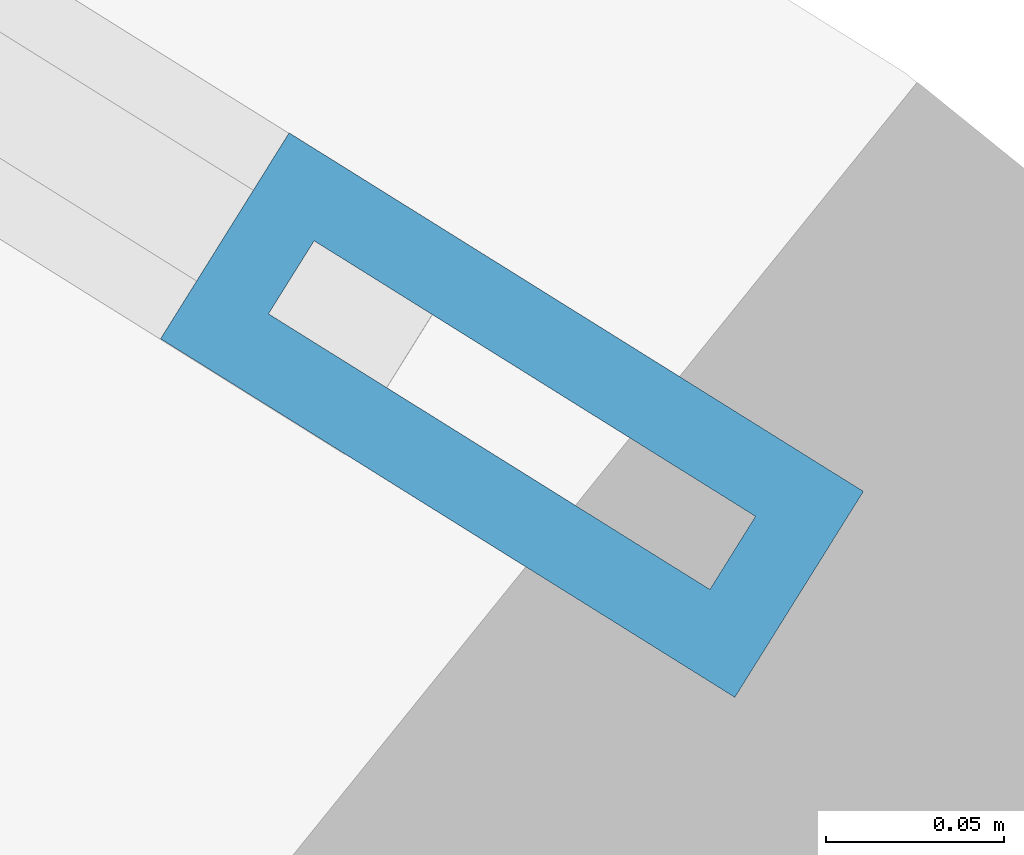
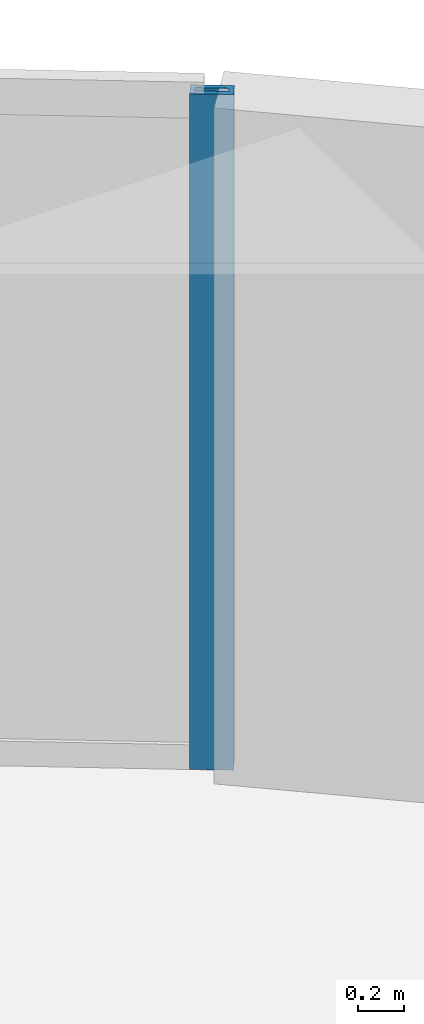
# One storey, part 9 of 17: 1 member, 1 element without a shape of its own.
"""IFC4 building model written with IfcOpenShell, lengths in metres."""

from ifc_helpers import new_model, si_unit, direction, frame, origin, origin_2d, place, context, subcontext, project, spatial, hollow_rectangle, extrude, source, transform, mapped, material, layer, layer_set, material_profile, profile_set, type_object, type_shapes, element, aggregate, save


model = new_model("IFC4")

# Units and contexts
model_context = context("Model", 3, precision=1e-05, world=origin(), true_north=direction((0.0, 1.0)))
body_context = subcontext(model_context, "Body", "Model", "MODEL_VIEW")
ifc_project = project(units=[si_unit("LENGTHUNIT", "METRE"), si_unit("AREAUNIT", "SQUARE_METRE"), si_unit("VOLUMEUNIT", "CUBIC_METRE"), si_unit("PLANEANGLEUNIT", "RADIAN"), si_unit("MASSUNIT", "GRAM", prefix="KILO")], contexts=[model_context])

# Site, building, storey
site_placement = place(None, origin())
site = spatial("IfcSite", under=ifc_project, at=site_placement, CompositionType="ELEMENT")
building_placement = place(site_placement, origin())
building = spatial("IfcBuilding", under=site, at=building_placement, Name="Tavelor Broadcast Tower", CompositionType="ELEMENT")
storey_placement = place(building_placement, frame((0.0, 0.0, 165.64990234375)))
storey = spatial("IfcBuildingStorey", under=building, at=storey_placement, Name="L39", CompositionType="ELEMENT", Elevation=165.64990234375)

# Curtain wall, member
ifc_material = material(Name="Architectural Anodized Aluminium", Category="aluminium")
ifc_layer = layer(ifc_material, 0.18994140625)
ifc_layer_set = layer_set([ifc_layer], Name="Architectural Anodized Aluminium")
curtain_wall_type = type_object("IfcCurtainWallType", Name="Tower Mid-Zone Acoustic Curtain Wall CW03", PredefinedType="NOTDEFINED", material=ifc_layer_set)
curtain_wall_placement = place(storey_placement, origin())
curtain_wall = element("IfcCurtainWall", 1, at=curtain_wall_placement, inside=storey, type_object=curtain_wall_type, Name="L39 Curtain Wall CW03 Run 417", PredefinedType="NOTDEFINED")
ifc_material_profile = material_profile(ifc_material, hollow_rectangle(XDim=0.068115234375, YDim=0.18994140625, WallThickness=0.02197265625, at=origin_2d()), Name="RHS 68x190x22")
ifc_profile_set = profile_set([ifc_material_profile], Name="Architectural Anodized Aluminium")
member_type = type_object("IfcMemberType", Name="CW03 Extruded Aluminium Mullion 68x190", PredefinedType="MULLION", material=ifc_profile_set)
shared_shape = source(origin(), body_context, "Body", "SweptSolid", [
    extrude(hollow_rectangle(XDim=0.068115234375, YDim=0.18994140625, WallThickness=0.02197265625, at=origin_2d()), origin(), (0.0, 0.0, 1.0), 3.550048828125),
])
type_shapes(member_type, [shared_shape])
member_placement = place(storey_placement, frame((69.943115234375, 59.36669921875, 0.0), z_axis=(0.0, 0.0, 1.0), x_axis=(-0.529551832502, -0.848277582336, 0.0)))
member = element("IfcMember", 2, at=member_placement, type_object=member_type, Name="CW03 mullion 1", PredefinedType="MULLION", context=body_context, shape_type="MappedRepresentation", body=[
    mapped(shared_shape, transform((0.0, 0.0, 0.0), scale=1.0)),
])
aggregate(curtain_wall, [member])

save(model, "model.ifc")
